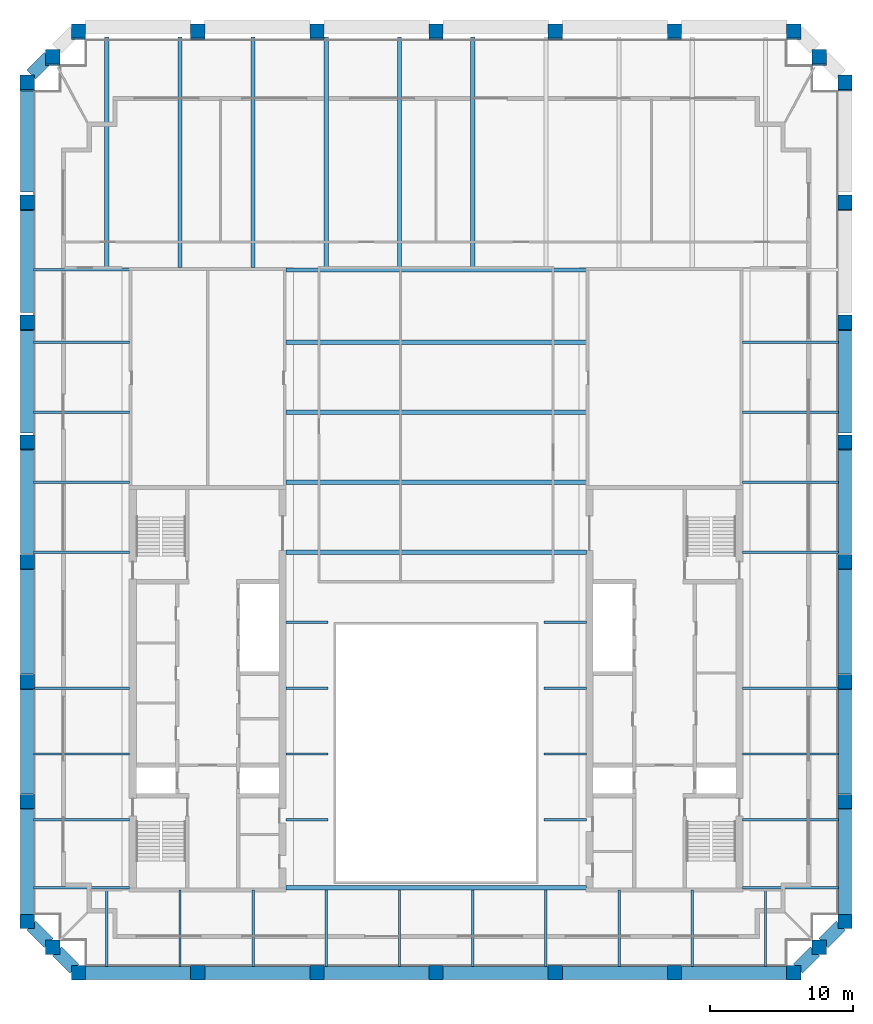
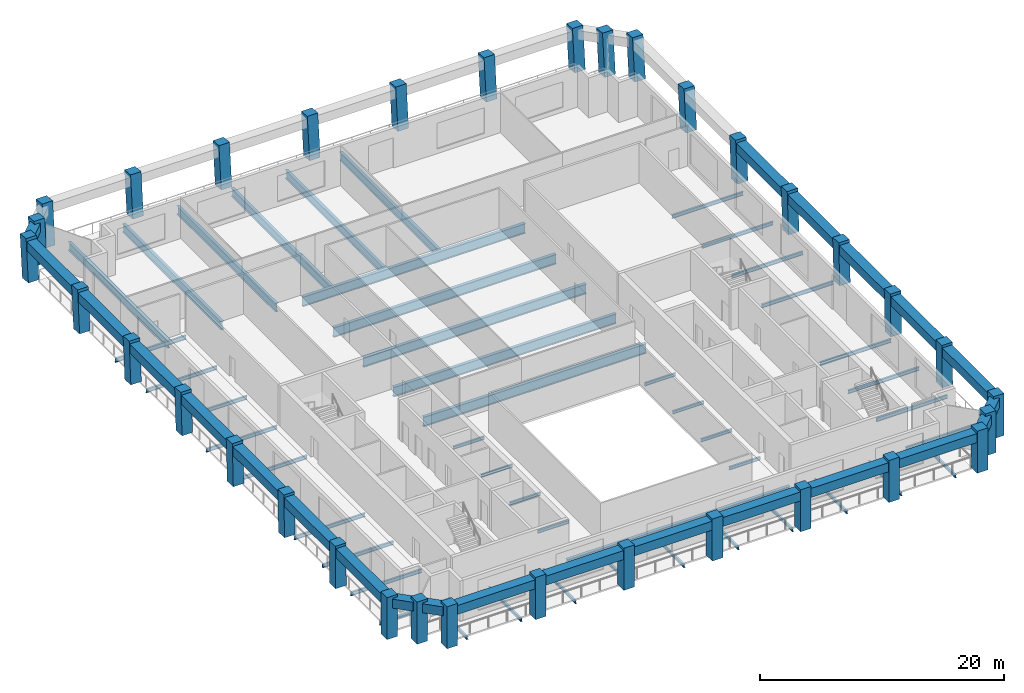
# One storey, part 1 of 8: 70 beams, 34 columns.
"""IFC4 building model written with IfcOpenShell, lengths in metres."""

import ifcopenshell
import ifcopenshell.guid

model = None  # the IFC model being written
_history = None  # IfcOwnerHistory: only IFC2X3 demands one
_inside = {}  # id of a spatial element -> (the spatial element, [elements in it])
_under = {}  # id of a project, library or spatial element -> (it, [spatial elements below it])
_declared = {}  # id of a project -> (the project, [libraries it declares])
_typed = {}  # id of a type object -> (the type object, [elements of that type])
_made_of = {}  # id of a material, layer set ... -> (it, [elements and type objects made of it])


def new_model(schema):
    """Start an empty IFC model of exactly this schema.

    Asked for "IFC4X3", IfcOpenShell would pick the latest addendum, in which some entities
    have other attributes; the version numbers below select the first issue.
    IFC2X3 requires an IfcOwnerHistory on every rooted entity: one is made here for all.
    """
    global model, _history
    if schema == "IFC4X3":
        model = ifcopenshell.file(schema_version=(4, 3, 0, 0))
    else:
        model = ifcopenshell.file(schema=schema)
    _inside.clear()
    _under.clear()
    _declared.clear()
    _typed.clear()
    _made_of.clear()
    _history = None
    if model.schema == "IFC2X3":
        org = make("IfcOrganization", Name="unknown")
        user = make(
            "IfcPersonAndOrganization",
            ThePerson=make("IfcPerson", FamilyName="unknown"),
            TheOrganization=org,
        )
        app = make(
            "IfcApplication",
            ApplicationDeveloper=org,
            Version="unknown",
            ApplicationFullName="unknown",
            ApplicationIdentifier="unknown",
        )
        _history = make(
            "IfcOwnerHistory",
            OwningUser=user,
            OwningApplication=app,
            ChangeAction="ADDED",
            CreationDate=0,
        )
    return model


def make(cls, **values):
    """One entity of the class cls with the attributes given. An attribute that is None is left unset."""
    return model.create_entity(
        cls, **{name: value for name, value in values.items() if value is not None}
    )


def rooted(cls, **values):
    """An entity with a GlobalId (a new one), such as an element, a storey or a relation."""
    return make(cls, GlobalId=ifcopenshell.guid.new(), OwnerHistory=_history, **values)


def si_unit(unit_type, name, prefix=None):
    """IfcSIUnit, for example si_unit("LENGTHUNIT", "METRE", prefix="MILLI")."""
    return make("IfcSIUnit", UnitType=unit_type, Prefix=prefix, Name=name)


def assignment(units):
    """IfcUnitAssignment: the units of a project."""
    return None if units is None else make("IfcUnitAssignment", Units=units)


def point(xyz):
    """IfcCartesianPoint."""
    return None if xyz is None else make("IfcCartesianPoint", Coordinates=xyz)


def direction(xyz):
    """IfcDirection."""
    return None if xyz is None else make("IfcDirection", DirectionRatios=xyz)


def frame(location, z_axis=None, x_axis=None):
    """IfcAxis2Placement3D, a coordinate frame: its origin and axes. An axis left out is left unset."""
    return make(
        "IfcAxis2Placement3D",
        Location=point(location),
        Axis=direction(z_axis),
        RefDirection=direction(x_axis),
    )


def frame_2d(location, x_axis=None):
    """IfcAxis2Placement2D, a coordinate frame in the plane: its origin and x axis."""
    return make(
        "IfcAxis2Placement2D", Location=point(location), RefDirection=direction(x_axis)
    )


def origin():
    """The frame at (0, 0, 0) with its axes left unset."""
    return frame((0.0, 0.0, 0.0))


def origin_2d():
    """The frame at (0, 0) in the plane with its x axis left unset."""
    return frame_2d((0.0, 0.0))


def place(relative_to, where):
    """IfcLocalPlacement: puts the frame where relative to a parent placement (None: the world)."""
    return make(
        "IfcLocalPlacement", PlacementRelTo=relative_to, RelativePlacement=where
    )


def context(
    kind, dimensions, precision=None, world=None, true_north=None, identifier=None
):
    """IfcGeometricRepresentationContext, for example the 3D "Model" context."""
    return make(
        "IfcGeometricRepresentationContext",
        ContextIdentifier=identifier,
        ContextType=kind,
        CoordinateSpaceDimension=dimensions,
        Precision=precision,
        WorldCoordinateSystem=world,
        TrueNorth=true_north,
    )


def subcontext(parent, identifier, kind, view, scale=None):
    """IfcGeometricRepresentationSubContext, for example "Body" below "Model"."""
    return make(
        "IfcGeometricRepresentationSubContext",
        ContextIdentifier=identifier,
        ContextType=kind,
        ParentContext=parent,
        TargetScale=scale,
        TargetView=view,
    )


def project(units=None, contexts=None):
    """IfcProject with its units and contexts."""
    return rooted(
        "IfcProject",
        Name="project",
        RepresentationContexts=contexts,
        UnitsInContext=assignment(units),
    )


def spatial(cls, under=None, at=None, **own):
    """A site, building, storey or space (cls), placed at a placement, below another one or the project."""
    s = rooted(cls, ObjectPlacement=at, **own)
    if under is not None:
        _under.setdefault(under.id(), (under, []))[1].append(s)
    return s


def profile(cls, at=None, kind="AREA", **sizes):
    """A parametric profile (cls). Its sizes go by their IFC names, for example OverallWidth=200.0."""
    return make(cls, ProfileType=kind, Position=at, **sizes)


def rectangle(**sizes):
    """IfcRectangleProfileDef."""
    return profile("IfcRectangleProfileDef", **sizes)


def i_section(**sizes):
    """IfcIShapeProfileDef."""
    return profile("IfcIShapeProfileDef", **sizes)


def extrude(swept, where, along, depth):
    """IfcExtrudedAreaSolid: the profile swept, set in the frame where, extruded along a direction by depth."""
    return make(
        "IfcExtrudedAreaSolid",
        SweptArea=swept,
        Position=where,
        ExtrudedDirection=direction(along),
        Depth=depth,
    )


def shape(context_of_items, identifier, shape_type, items):
    """IfcShapeRepresentation: the items that make up one representation, for example the "Body"."""
    return make(
        "IfcShapeRepresentation",
        ContextOfItems=context_of_items,
        RepresentationIdentifier=identifier,
        RepresentationType=shape_type,
        Items=items,
    )


def material(Name=None, Category=None):
    """IfcMaterial."""
    return make("IfcMaterial", Name=Name, Category=Category)


def material_profile(
    of_material, cross_section, Name=None, Category=None, Priority=None
):
    """IfcMaterialProfile: a cross section and its material."""
    return make(
        "IfcMaterialProfile",
        Name=Name,
        Material=of_material,
        Profile=cross_section,
        Priority=Priority,
        Category=Category,
    )


def profile_set(profiles, Name=None, composite=None):
    """IfcMaterialProfileSet."""
    return make(
        "IfcMaterialProfileSet",
        Name=Name,
        MaterialProfiles=profiles,
        CompositeProfile=composite,
    )


def made_of(thing, what):
    """Note that an element or type object is made of a material, layer set ...; save() writes the relation."""
    if what is not None:
        _made_of.setdefault(what.id(), (what, []))[1].append(thing)
    return thing


def type_object(cls, material=None, **own):
    """A type object (cls), such as IfcWallType, which elements share."""
    return made_of(rooted(cls, **own), material)


def element(
    cls,
    number,
    at=None,
    inside=None,
    cuts=None,
    type_object=None,
    material=None,
    context=None,
    identifier="Body",
    shape_type=None,
    held_by="IfcProductDefinitionShape",
    body=None,
    shapes=None,
    **own,
):
    """One element of the class cls, such as IfcWall. Its Tag is "e" and its number.

    at: its placement. inside: the storey or other place that contains it. cuts: it is an
    opening in that element (IfcRelVoidsElement). A single representation is given by context,
    identifier, shape_type and body (its items); several are given by shapes. held_by: the class
    of the entity that holds the representations. save() writes the other relations.
    """
    e = rooted(cls, Tag="e%d" % number, ObjectPlacement=at, **own)
    if body is not None:
        shapes = [shape(context, identifier, shape_type, body)]
    if shapes is not None:
        e.Representation = make(held_by, Representations=shapes)
    if inside is not None:
        _inside.setdefault(inside.id(), (inside, []))[1].append(e)
    if cuts is not None:
        rooted(
            "IfcRelVoidsElement", RelatingBuildingElement=cuts, RelatedOpeningElement=e
        )
    if type_object is not None:
        _typed.setdefault(type_object.id(), (type_object, []))[1].append(e)
    return made_of(e, material)


def aggregate(whole, parts):
    """IfcRelAggregates: a whole, such as a stair, and the parts it consists of."""
    return rooted("IfcRelAggregates", RelatingObject=whole, RelatedObjects=parts)


def save(model, path):
    """Write the relations noted so far, then the file.

    IfcRelAggregates (storeys below a building ...), IfcRelContainedInSpatialStructure (elements
    in a storey), IfcRelDefinesByType, IfcRelAssociatesMaterial and IfcRelDeclares: one each for
    every whole, place, type object, material and project.
    """
    for whole, parts in _under.values():
        aggregate(whole, parts)
    for where, things in _inside.values():
        rooted(
            "IfcRelContainedInSpatialStructure",
            RelatedElements=things,
            RelatingStructure=where,
        )
    for kind, things in _typed.values():
        rooted("IfcRelDefinesByType", RelatedObjects=things, RelatingType=kind)
    for what, things in _made_of.values():
        rooted("IfcRelAssociatesMaterial", RelatedObjects=things, RelatingMaterial=what)
    for by, libraries in _declared.values():
        rooted("IfcRelDeclares", RelatingContext=by, RelatedDefinitions=libraries)
    model.write(path)


model = new_model("IFC4")

# Units and contexts
model_context = context("Model", 3, precision=1e-05, world=origin(), true_north=direction((0.0, 1.0)))
body_context = subcontext(model_context, "Body", "Model", "MODEL_VIEW")
ifc_project = project(units=[si_unit("LENGTHUNIT", "METRE"), si_unit("AREAUNIT", "SQUARE_METRE"), si_unit("VOLUMEUNIT", "CUBIC_METRE"), si_unit("PLANEANGLEUNIT", "RADIAN"), si_unit("MASSUNIT", "GRAM", prefix="KILO")], contexts=[model_context])

# Site, building, storey
site_placement = place(None, origin())
site = spatial("IfcSite", under=ifc_project, at=site_placement, CompositionType="ELEMENT")
building_placement = place(site_placement, origin())
building = spatial("IfcBuilding", under=site, at=building_placement, Name="Ogive Exchange Tower", CompositionType="ELEMENT")
storey_placement = place(building_placement, frame((0.0, 0.0, 325.800048828125)))
storey = spatial("IfcBuildingStorey", under=building, at=storey_placement, Name="L71", CompositionType="ELEMENT", Elevation=325.800048828125)

# Columns
ifc_material_1 = material(Name="Precast concrete C70/85 (limestone faced)", Category="masonry")
ifc_material_profile_1 = material_profile(ifc_material_1, rectangle(XDim=1.0, YDim=1.0, at=origin_2d()), Name="1000 x 1000")
ifc_profile_set_1 = profile_set([ifc_material_profile_1], Name="Precast concrete C70/85 (limestone faced)")
column_type = type_object("IfcColumnType", Name="Precast exoskeleton leg 1000 x 1000 C70/85", PredefinedType="COLUMN", material=ifc_profile_set_1)
for number, where, z_axis, x_axis, name in (
    (1, (-25.050048828125, -8.39990234375, 0.0), (0.0, 0.0, 1.0), (1.0, 0.0, 0.0), "Exoskeleton leg 1"),
    (2, (-16.699951171875, -8.39990234375, 0.0), (0.0, 0.0, 1.0), (1.0, 0.0, 0.0), "Exoskeleton leg 2"),
    (3, (-8.35009765625, -8.39990234375, 0.0), (0.0, 0.0, 1.0), (1.0, 0.0, 0.0), "Exoskeleton leg 3"),
    (4, (0.0, -8.39990234375, 0.0), (0.0, 0.0, 1.0), (1.0, 0.0, 0.0), "Exoskeleton leg 4"),
    (5, (8.35009765625, -8.39990234375, 0.0), (0.0, 0.0, 1.0), (1.0, 0.0, 0.0), "Exoskeleton leg 5"),
    (6, (16.699951171875, -8.39990234375, 0.0), (0.0, 0.0, 1.0), (1.0, 0.0, 0.0), "Exoskeleton leg 6"),
    (7, (25.050048828125, -8.39990234375, 0.0), (0.0, 0.0, 1.0), (1.0, 0.0, 0.0), "Exoskeleton leg 7"),
    (8, (28.64990234375, -4.800048828125, 0.0), (0.0, 0.0, 1.0), (1.0, 0.0, 0.0), "Exoskeleton leg 8"),
):
    element("IfcColumn", number, at=place(storey_placement, frame(where, z_axis=z_axis, x_axis=x_axis)), inside=storey, type_object=column_type, Name=name, PredefinedType="COLUMN", context=body_context, shape_type="SweptSolid", body=[
        extrude(rectangle(XDim=1.0, YDim=1.0, at=origin_2d()), origin(), (0.0, 0.0, 1.0), 4.199951171875),
    ])
column_1_placement = place(storey_placement, frame((28.64990234375, 3.581787109375, 0.0), z_axis=(0.0, 0.013019881024, 0.999915237757), x_axis=(-1.0, 0.0, 0.0)))
element("IfcColumn", 9, at=column_1_placement, inside=storey, type_object=column_type, Name="Exoskeleton leg 9", PredefinedType="COLUMN", context=body_context, shape_type="SweptSolid", body=[
    extrude(rectangle(XDim=1.0, YDim=1.0, at=origin_2d()), origin(), (0.0, 0.0, 1.0), 4.2001953125),
])
column_2_placement = place(storey_placement, frame((28.64990234375, 11.963623046875, 0.0), z_axis=(0.0, 0.025975072843, 0.999662590873), x_axis=(-1.0, 0.0, 0.0)))
element("IfcColumn", 10, at=column_2_placement, inside=storey, type_object=column_type, Name="Exoskeleton leg 10", PredefinedType="COLUMN", context=body_context, shape_type="SweptSolid", body=[
    extrude(rectangle(XDim=1.0, YDim=1.0, at=origin_2d()), origin(), (0.0, 0.0, 1.0), 4.201416015625),
])
column_3_placement = place(storey_placement, frame((28.64990234375, 20.345458984375, 0.0), z_axis=(0.0, 0.038917190853, 0.999242439179), x_axis=(-1.0, 0.0, 0.0)))
element("IfcColumn", 11, at=column_3_placement, inside=storey, type_object=column_type, Name="Exoskeleton leg 11", PredefinedType="COLUMN", context=body_context, shape_type="SweptSolid", body=[
    extrude(rectangle(XDim=1.0, YDim=1.0, at=origin_2d()), origin(), (0.0, 0.0, 1.0), 4.203125),
])
column_4_placement = place(storey_placement, frame((28.64990234375, 28.727294921875, 0.0), z_axis=(0.0, 0.051897648879, 0.99865240902), x_axis=(-1.0, 0.0, 0.0)))
element("IfcColumn", 12, at=column_4_placement, inside=storey, type_object=column_type, Name="Exoskeleton leg 12", PredefinedType="COLUMN", context=body_context, shape_type="SweptSolid", body=[
    extrude(rectangle(XDim=1.0, YDim=1.0, at=origin_2d()), origin(), (0.0, 0.0, 1.0), 4.20556640625),
])
column_5_placement = place(storey_placement, frame((28.64990234375, 37.109130859375, 0.0), z_axis=(0.0, 0.064794093908, 0.997898654872), x_axis=(-1.0, 0.0, 0.0)))
element("IfcColumn", 13, at=column_5_placement, inside=storey, type_object=column_type, Name="Exoskeleton leg 13", PredefinedType="COLUMN", context=body_context, shape_type="SweptSolid", body=[
    extrude(rectangle(XDim=1.0, YDim=1.0, at=origin_2d()), origin(), (0.0, 0.0, 1.0), 4.208740234375),
])
column_6_placement = place(storey_placement, frame((28.64990234375, 45.490966796875, 0.0), z_axis=(0.0, 0.077658156178, 0.996980045326), x_axis=(-1.0, 0.0, 0.0)))
element("IfcColumn", 14, at=column_6_placement, inside=storey, type_object=column_type, Name="Exoskeleton leg 14", PredefinedType="COLUMN", context=body_context, shape_type="SweptSolid", body=[
    extrude(rectangle(XDim=1.0, YDim=1.0, at=origin_2d()), origin(), (0.0, 0.0, 1.0), 4.212646484375),
])
for number, where, z_axis, x_axis, name in (
    (15, (28.64990234375, 53.872802734375, 0.0), (0.0, 0.090483549163, 0.995897950259), (-1.0, 0.0, 0.0), "Exoskeleton leg 15"),
    (16, (25.050048828125, 57.47265625, 0.0), (0.0, 0.090540965689, 0.995892731941), (-1.0, 0.0, 0.0), "Exoskeleton leg 16"),
    (17, (16.699951171875, 57.47265625, 0.0), (0.0, 0.090540965689, 0.995892731941), (-1.0, 0.0, 0.0), "Exoskeleton leg 17"),
    (18, (8.35009765625, 57.47265625, 0.0), (0.0, 0.090540965689, 0.995892731941), (-1.0, 0.0, 0.0), "Exoskeleton leg 18"),
    (19, (0.0, 57.47265625, 0.0), (0.0, 0.090540965689, 0.995892731941), (-1.0, 0.0, 0.0), "Exoskeleton leg 19"),
    (20, (-8.35009765625, 57.47265625, 0.0), (0.0, 0.090540965689, 0.995892731941), (-1.0, 0.0, 0.0), "Exoskeleton leg 20"),
    (21, (-16.699951171875, 57.47265625, 0.0), (0.0, 0.090540965689, 0.995892731941), (-1.0, 0.0, 0.0), "Exoskeleton leg 21"),
    (22, (-25.050048828125, 57.47265625, 0.0), (0.0, 0.090540965689, 0.995892731941), (-1.0, 0.0, 0.0), "Exoskeleton leg 22"),
    (23, (-28.64990234375, 53.872802734375, 0.0), (0.0, 0.090483549163, 0.995897950259), (-1.0, 0.0, 0.0), "Exoskeleton leg 23"),
):
    element("IfcColumn", number, at=place(storey_placement, frame(where, z_axis=z_axis, x_axis=x_axis)), inside=storey, type_object=column_type, Name=name, PredefinedType="COLUMN", context=body_context, shape_type="SweptSolid", body=[
        extrude(rectangle(XDim=1.0, YDim=1.0, at=origin_2d()), origin(), (0.0, 0.0, 1.0), 4.21728515625),
    ])
column_7_placement = place(storey_placement, frame((-28.64990234375, 45.490966796875, 0.0), z_axis=(0.0, 0.077658156178, 0.996980045326), x_axis=(-1.0, 0.0, 0.0)))
element("IfcColumn", 24, at=column_7_placement, inside=storey, type_object=column_type, Name="Exoskeleton leg 24", PredefinedType="COLUMN", context=body_context, shape_type="SweptSolid", body=[
    extrude(rectangle(XDim=1.0, YDim=1.0, at=origin_2d()), origin(), (0.0, 0.0, 1.0), 4.212646484375),
])
column_8_placement = place(storey_placement, frame((-28.64990234375, 37.109130859375, 0.0), z_axis=(0.0, 0.064794093908, 0.997898654872), x_axis=(-1.0, 0.0, 0.0)))
element("IfcColumn", 25, at=column_8_placement, inside=storey, type_object=column_type, Name="Exoskeleton leg 25", PredefinedType="COLUMN", context=body_context, shape_type="SweptSolid", body=[
    extrude(rectangle(XDim=1.0, YDim=1.0, at=origin_2d()), origin(), (0.0, 0.0, 1.0), 4.208740234375),
])
column_9_placement = place(storey_placement, frame((-28.64990234375, 28.727294921875, 0.0), z_axis=(0.0, 0.051897648879, 0.99865240902), x_axis=(-1.0, 0.0, 0.0)))
element("IfcColumn", 26, at=column_9_placement, inside=storey, type_object=column_type, Name="Exoskeleton leg 26", PredefinedType="COLUMN", context=body_context, shape_type="SweptSolid", body=[
    extrude(rectangle(XDim=1.0, YDim=1.0, at=origin_2d()), origin(), (0.0, 0.0, 1.0), 4.20556640625),
])
column_10_placement = place(storey_placement, frame((-28.64990234375, 20.345458984375, 0.0), z_axis=(0.0, 0.038917190853, 0.999242439179), x_axis=(-1.0, 0.0, 0.0)))
element("IfcColumn", 27, at=column_10_placement, inside=storey, type_object=column_type, Name="Exoskeleton leg 27", PredefinedType="COLUMN", context=body_context, shape_type="SweptSolid", body=[
    extrude(rectangle(XDim=1.0, YDim=1.0, at=origin_2d()), origin(), (0.0, 0.0, 1.0), 4.203125),
])
column_11_placement = place(storey_placement, frame((-28.64990234375, 11.963623046875, 0.0), z_axis=(0.0, 0.025975072843, 0.999662590873), x_axis=(-1.0, 0.0, 0.0)))
element("IfcColumn", 28, at=column_11_placement, inside=storey, type_object=column_type, Name="Exoskeleton leg 28", PredefinedType="COLUMN", context=body_context, shape_type="SweptSolid", body=[
    extrude(rectangle(XDim=1.0, YDim=1.0, at=origin_2d()), origin(), (0.0, 0.0, 1.0), 4.201416015625),
])
column_12_placement = place(storey_placement, frame((-28.64990234375, 3.581787109375, 0.0), z_axis=(0.0, 0.013019881024, 0.999915237757), x_axis=(-1.0, 0.0, 0.0)))
element("IfcColumn", 29, at=column_12_placement, inside=storey, type_object=column_type, Name="Exoskeleton leg 29", PredefinedType="COLUMN", context=body_context, shape_type="SweptSolid", body=[
    extrude(rectangle(XDim=1.0, YDim=1.0, at=origin_2d()), origin(), (0.0, 0.0, 1.0), 4.2001953125),
])
for number, where, z_axis, x_axis, name in (
    (30, (-28.64990234375, -4.800048828125, 0.0), (0.0, 0.0, 1.0), (1.0, 0.0, 0.0), "Exoskeleton leg 30"),
    (31, (26.85009765625, -6.60009765625, 0.0), (0.0, 0.0, 1.0), (1.0, 0.0, 0.0), "Exoskeleton leg 31"),
):
    element("IfcColumn", number, at=place(storey_placement, frame(where, z_axis=z_axis, x_axis=x_axis)), inside=storey, type_object=column_type, Name=name, PredefinedType="COLUMN", context=body_context, shape_type="SweptSolid", body=[
        extrude(rectangle(XDim=1.0, YDim=1.0, at=origin_2d()), origin(), (0.0, 0.0, 1.0), 4.199951171875),
    ])
for number, where, z_axis, x_axis, name in (
    (32, (26.85009765625, 55.672607421875, 0.0), (0.0, 0.090540965689, 0.995892731941), (-1.0, 0.0, 0.0), "Exoskeleton leg 32"),
    (33, (-26.85009765625, 55.672607421875, 0.0), (0.0, 0.090540965689, 0.995892731941), (-1.0, 0.0, 0.0), "Exoskeleton leg 33"),
):
    element("IfcColumn", number, at=place(storey_placement, frame(where, z_axis=z_axis, x_axis=x_axis)), inside=storey, type_object=column_type, Name=name, PredefinedType="COLUMN", context=body_context, shape_type="SweptSolid", body=[
        extrude(rectangle(XDim=1.0, YDim=1.0, at=origin_2d()), origin(), (0.0, 0.0, 1.0), 4.21728515625),
    ])
column_13_placement = place(storey_placement, frame((-26.85009765625, -6.60009765625, 0.0), z_axis=(0.0, 0.0, 1.0), x_axis=(1.0, 0.0, 0.0)))
element("IfcColumn", 34, at=column_13_placement, inside=storey, type_object=column_type, Name="Exoskeleton leg 34", PredefinedType="COLUMN", context=body_context, shape_type="SweptSolid", body=[
    extrude(rectangle(XDim=1.0, YDim=1.0, at=origin_2d()), origin(), (0.0, 0.0, 1.0), 4.199951171875),
])

# Beams
ifc_material_2 = material(Name="Steel ASTM A992 Gr50", Category="steel")
ifc_material_profile_2 = material_profile(ifc_material_2, i_section(OverallWidth=0.300048828125, OverallDepth=0.97998046875, WebThickness=0.0166015625, FlangeThickness=0.026123046875, at=origin_2d()), Name="W1000x249")
ifc_profile_set_2 = profile_set([ifc_material_profile_2], Name="Steel ASTM A992 Gr50")
beam_type_1 = type_object("IfcBeamType", Name="Floor beam W1000x249", PredefinedType="JOIST", material=ifc_profile_set_2)
for number, where, z_axis, x_axis, name in (
    (35, (-10.52001953125, 21.06201171875, -0.68994140625), (1.0, 0.0, 0.0), (0.0, 1.0, 0.0), "Floor beam"),
    (36, (-10.52001953125, 25.968994140625, -0.68994140625), (1.0, 0.0, 0.0), (0.0, 1.0, 0.0), "Floor beam"),
    (37, (-10.52001953125, 30.8759765625, -0.68994140625), (1.0, 0.0, 0.0), (0.0, 1.0, 0.0), "Floor beam"),
    (38, (-10.52001953125, 35.782958984375, -0.68994140625), (1.0, 0.0, 0.0), (0.0, 1.0, 0.0), "Floor beam"),
):
    element("IfcBeam", number, at=place(storey_placement, frame(where, z_axis=z_axis, x_axis=x_axis)), inside=storey, type_object=beam_type_1, Name=name, PredefinedType="JOIST", context=body_context, shape_type="SweptSolid", body=[
        extrude(i_section(OverallWidth=0.300048828125, OverallDepth=0.97998046875, WebThickness=0.0166015625, FlangeThickness=0.026123046875, at=origin_2d()), origin(), (0.0, 0.0, 1.0), 21.0400390625),
    ])
ifc_material_profile_3 = material_profile(ifc_material_2, i_section(OverallWidth=0.1650390625, OverallDepth=0.31005859375, WebThickness=0.005859375, FlangeThickness=0.009765625, at=origin_2d()), Name="W310x38.7")
ifc_profile_set_3 = profile_set([ifc_material_profile_3], Name="Steel ASTM A992 Gr50")
beam_type_2 = type_object("IfcBeamType", Name="Floor beam W310x38.7", PredefinedType="JOIST", material=ifc_profile_set_3)
for number, where, z_axis, x_axis, name in (
    (39, (-10.52001953125, 2.3212890625, -0.35498046875), (1.0, 0.0, 0.0), (0.0, 1.0, 0.0), "Floor beam"),
    (40, (7.570068359375, 2.3212890625, -0.35498046875), (1.0, 0.0, 0.0), (0.0, 1.0, 0.0), "Floor beam"),
    (41, (-10.52001953125, 6.9326171875, -0.35498046875), (1.0, 0.0, 0.0), (0.0, 1.0, 0.0), "Floor beam"),
    (42, (7.570068359375, 6.9326171875, -0.35498046875), (1.0, 0.0, 0.0), (0.0, 1.0, 0.0), "Floor beam"),
    (43, (-10.52001953125, 11.543701171875, -0.35498046875), (1.0, 0.0, 0.0), (0.0, 1.0, 0.0), "Floor beam"),
    (44, (7.570068359375, 11.543701171875, -0.35498046875), (1.0, 0.0, 0.0), (0.0, 1.0, 0.0), "Floor beam"),
):
    element("IfcBeam", number, at=place(storey_placement, frame(where, z_axis=z_axis, x_axis=x_axis)), inside=storey, type_object=beam_type_2, Name=name, PredefinedType="JOIST", context=body_context, shape_type="SweptSolid", body=[
        extrude(i_section(OverallWidth=0.1650390625, OverallDepth=0.31005859375, WebThickness=0.005859375, FlangeThickness=0.009765625, at=origin_2d()), origin(), (0.0, 0.0, 1.0), 2.949951171875),
    ])
beam_1_placement = place(storey_placement, frame((-23.07275390625, -7.949951171875, -0.35498046875), z_axis=(0.0, 1.0, 0.0), x_axis=(-1.0, 0.0, 0.0)))
element("IfcBeam", 45, at=beam_1_placement, inside=storey, type_object=beam_type_2, Name="Floor beam", PredefinedType="JOIST", context=body_context, shape_type="SweptSolid", body=[
    extrude(i_section(OverallWidth=0.1650390625, OverallDepth=0.31005859375, WebThickness=0.005859375, FlangeThickness=0.009765625, at=origin_2d()), origin(), (0.0, 0.0, 1.0), 5.416015625),
])
for number, where, z_axis, x_axis, name in (
    (46, (-17.945556640625, -7.949951171875, -0.35498046875), (0.0, 1.0, 0.0), (-1.0, 0.0, 0.0), "Floor beam"),
    (47, (-12.818115234375, -7.949951171875, -0.35498046875), (0.0, 1.0, 0.0), (-1.0, 0.0, 0.0), "Floor beam"),
):
    element("IfcBeam", number, at=place(storey_placement, frame(where, z_axis=z_axis, x_axis=x_axis)), inside=storey, type_object=beam_type_2, Name=name, PredefinedType="JOIST", context=body_context, shape_type="SweptSolid", body=[
        extrude(i_section(OverallWidth=0.1650390625, OverallDepth=0.31005859375, WebThickness=0.005859375, FlangeThickness=0.009765625, at=origin_2d()), origin(), (0.0, 0.0, 1.0), 5.349853515625),
    ])
for number, where, z_axis, x_axis, name in (
    (48, (-7.69091796875, -7.949951171875, -0.35498046875), (0.0, 1.0, 0.0), (-1.0, 0.0, 0.0), "Floor beam"),
    (49, (-2.563720703125, -7.949951171875, -0.35498046875), (0.0, 1.0, 0.0), (-1.0, 0.0, 0.0), "Floor beam"),
    (50, (2.563720703125, -7.949951171875, -0.35498046875), (0.0, 1.0, 0.0), (-1.0, 0.0, 0.0), "Floor beam"),
    (51, (7.69091796875, -7.949951171875, -0.35498046875), (0.0, 1.0, 0.0), (-1.0, 0.0, 0.0), "Floor beam"),
):
    element("IfcBeam", number, at=place(storey_placement, frame(where, z_axis=z_axis, x_axis=x_axis)), inside=storey, type_object=beam_type_2, Name=name, PredefinedType="JOIST", context=body_context, shape_type="SweptSolid", body=[
        extrude(i_section(OverallWidth=0.1650390625, OverallDepth=0.31005859375, WebThickness=0.005859375, FlangeThickness=0.009765625, at=origin_2d()), origin(), (0.0, 0.0, 1.0), 5.35498046875),
    ])
for number, where, z_axis, x_axis, name in (
    (52, (12.818115234375, -7.949951171875, -0.35498046875), (0.0, 1.0, 0.0), (-1.0, 0.0, 0.0), "Floor beam"),
    (53, (17.945556640625, -7.949951171875, -0.35498046875), (0.0, 1.0, 0.0), (-1.0, 0.0, 0.0), "Floor beam"),
):
    element("IfcBeam", number, at=place(storey_placement, frame(where, z_axis=z_axis, x_axis=x_axis)), inside=storey, type_object=beam_type_2, Name=name, PredefinedType="JOIST", context=body_context, shape_type="SweptSolid", body=[
        extrude(i_section(OverallWidth=0.1650390625, OverallDepth=0.31005859375, WebThickness=0.005859375, FlangeThickness=0.009765625, at=origin_2d()), origin(), (0.0, 0.0, 1.0), 5.349853515625),
    ])
beam_2_placement = place(storey_placement, frame((23.07275390625, -7.949951171875, -0.35498046875), z_axis=(0.0, 1.0, 0.0), x_axis=(-1.0, 0.0, 0.0)))
element("IfcBeam", 54, at=beam_2_placement, inside=storey, type_object=beam_type_2, Name="Floor beam", PredefinedType="JOIST", context=body_context, shape_type="SweptSolid", body=[
    extrude(i_section(OverallWidth=0.1650390625, OverallDepth=0.31005859375, WebThickness=0.005859375, FlangeThickness=0.009765625, at=origin_2d()), origin(), (0.0, 0.0, 1.0), 5.416015625),
])
ifc_material_profile_4 = material_profile(ifc_material_2, i_section(OverallWidth=0.1708984375, OverallDepth=0.35595703125, WebThickness=0.00732421875, FlangeThickness=0.01171875, at=origin_2d()), Name="W360x51")
ifc_profile_set_4 = profile_set([ifc_material_profile_4], Name="Steel ASTM A992 Gr50")
beam_type_3 = type_object("IfcBeamType", Name="Floor beam W360x51", PredefinedType="JOIST", material=ifc_profile_set_4)
for number, where, z_axis, x_axis, name in (
    (55, (-28.199951171875, 2.3212890625, -0.3779296875), (1.0, 0.0, 0.0), (0.0, 1.0, 0.0), "Floor beam"),
    (56, (21.47998046875, 2.3212890625, -0.3779296875), (1.0, 0.0, 0.0), (0.0, 1.0, 0.0), "Floor beam"),
    (57, (-28.199951171875, 6.9326171875, -0.3779296875), (1.0, 0.0, 0.0), (0.0, 1.0, 0.0), "Floor beam"),
    (58, (21.47998046875, 6.9326171875, -0.3779296875), (1.0, 0.0, 0.0), (0.0, 1.0, 0.0), "Floor beam"),
    (59, (-28.199951171875, 11.543701171875, -0.3779296875), (1.0, 0.0, 0.0), (0.0, 1.0, 0.0), "Floor beam"),
    (60, (21.47998046875, 11.543701171875, -0.3779296875), (1.0, 0.0, 0.0), (0.0, 1.0, 0.0), "Floor beam"),
    (61, (-28.199951171875, 21.06201171875, -0.3779296875), (1.0, 0.0, 0.0), (0.0, 1.0, 0.0), "Floor beam"),
    (62, (21.47998046875, 21.06201171875, -0.3779296875), (1.0, 0.0, 0.0), (0.0, 1.0, 0.0), "Floor beam"),
    (63, (-28.199951171875, 25.968994140625, -0.3779296875), (1.0, 0.0, 0.0), (0.0, 1.0, 0.0), "Floor beam"),
    (64, (21.47998046875, 25.968994140625, -0.3779296875), (1.0, 0.0, 0.0), (0.0, 1.0, 0.0), "Floor beam"),
    (65, (-28.199951171875, 30.8759765625, -0.3779296875), (1.0, 0.0, 0.0), (0.0, 1.0, 0.0), "Floor beam"),
    (66, (21.47998046875, 30.8759765625, -0.3779296875), (1.0, 0.0, 0.0), (0.0, 1.0, 0.0), "Floor beam"),
    (67, (-28.199951171875, 35.782958984375, -0.3779296875), (1.0, 0.0, 0.0), (0.0, 1.0, 0.0), "Floor beam"),
    (68, (21.47998046875, 35.782958984375, -0.3779296875), (1.0, 0.0, 0.0), (0.0, 1.0, 0.0), "Floor beam"),
):
    element("IfcBeam", number, at=place(storey_placement, frame(where, z_axis=z_axis, x_axis=x_axis)), inside=storey, type_object=beam_type_3, Name=name, PredefinedType="JOIST", context=body_context, shape_type="SweptSolid", body=[
        extrude(i_section(OverallWidth=0.1708984375, OverallDepth=0.35595703125, WebThickness=0.00732421875, FlangeThickness=0.01171875, at=origin_2d()), origin(), (0.0, 0.0, 1.0), 6.719970703125),
    ])
ifc_material_profile_5 = material_profile(ifc_material_2, i_section(OverallWidth=0.2919921875, OverallDepth=0.8359375, WebThickness=0.013916015625, FlangeThickness=0.018798828125, at=origin_2d()), Name="W840x176")
ifc_profile_set_5 = profile_set([ifc_material_profile_5], Name="Steel ASTM A992 Gr50")
beam_type_4 = type_object("IfcBeamType", Name="Floor beam W840x176", PredefinedType="JOIST", material=ifc_profile_set_5)
beam_3_placement = place(storey_placement, frame((-23.07275390625, 40.93408203125, -0.6181640625), z_axis=(0.0, 1.0, 0.0), x_axis=(-1.0, 0.0, 0.0)))
element("IfcBeam", 69, at=beam_3_placement, inside=storey, type_object=beam_type_4, Name="Floor beam", PredefinedType="JOIST", context=body_context, shape_type="SweptSolid", body=[
    extrude(i_section(OverallWidth=0.2919921875, OverallDepth=0.8359375, WebThickness=0.013916015625, FlangeThickness=0.018798828125, at=origin_2d()), origin(), (0.0, 0.0, 1.0), 16.238525390625),
])
for number, where, z_axis, x_axis, name in (
    (70, (-17.945556640625, 41.0, -0.6181640625), (0.0, 1.0, 0.0), (-1.0, 0.0, 0.0), "Floor beam"),
    (71, (-12.818115234375, 41.0, -0.6181640625), (0.0, 1.0, 0.0), (-1.0, 0.0, 0.0), "Floor beam"),
):
    element("IfcBeam", number, at=place(storey_placement, frame(where, z_axis=z_axis, x_axis=x_axis)), inside=storey, type_object=beam_type_4, Name=name, PredefinedType="JOIST", context=body_context, shape_type="SweptSolid", body=[
        extrude(i_section(OverallWidth=0.2919921875, OverallDepth=0.8359375, WebThickness=0.013916015625, FlangeThickness=0.018798828125, at=origin_2d()), origin(), (0.0, 0.0, 1.0), 16.172607421875),
    ])
for number, where, z_axis, x_axis, name in (
    (72, (-7.69091796875, 40.9951171875, -0.6181640625), (0.0, 1.0, 0.0), (-1.0, 0.0, 0.0), "Floor beam"),
    (73, (-2.563720703125, 40.9951171875, -0.6181640625), (0.0, 1.0, 0.0), (-1.0, 0.0, 0.0), "Floor beam"),
    (74, (2.563720703125, 40.9951171875, -0.6181640625), (0.0, 1.0, 0.0), (-1.0, 0.0, 0.0), "Floor beam"),
):
    element("IfcBeam", number, at=place(storey_placement, frame(where, z_axis=z_axis, x_axis=x_axis)), inside=storey, type_object=beam_type_4, Name=name, PredefinedType="JOIST", context=body_context, shape_type="SweptSolid", body=[
        extrude(i_section(OverallWidth=0.2919921875, OverallDepth=0.8359375, WebThickness=0.013916015625, FlangeThickness=0.018798828125, at=origin_2d()), origin(), (0.0, 0.0, 1.0), 16.177490234375),
    ])
ifc_material_profile_6 = material_profile(ifc_material_2, i_section(OverallWidth=0.300048828125, OverallDepth=0.97998046875, WebThickness=0.0166015625, FlangeThickness=0.026123046875, at=origin_2d()), Name="W1000x249")
ifc_profile_set_6 = profile_set([ifc_material_profile_6], Name="Steel ASTM A992 Gr50")
beam_type_5 = type_object("IfcBeamType", Name="Girder W1000x249", PredefinedType="BEAM", material=ifc_profile_set_6)
for number, where, z_axis, x_axis, name in (
    (75, (-10.52001953125, -2.445068359375, -0.68994140625), (1.0, 0.0, 0.0), (0.0, 1.0, 0.0), "Header girder"),
    (76, (-10.52001953125, 40.844970703125, -0.68994140625), (1.0, 0.0, 0.0), (0.0, 1.0, 0.0), "Header girder"),
):
    element("IfcBeam", number, at=place(storey_placement, frame(where, z_axis=z_axis, x_axis=x_axis)), inside=storey, type_object=beam_type_5, Name=name, PredefinedType="BEAM", context=body_context, shape_type="SweptSolid", body=[
        extrude(i_section(OverallWidth=0.300048828125, OverallDepth=0.97998046875, WebThickness=0.0166015625, FlangeThickness=0.026123046875, at=origin_2d()), origin(), (0.0, 0.0, 1.0), 21.0400390625),
    ])
ifc_material_profile_7 = material_profile(ifc_material_2, i_section(OverallWidth=0.1650390625, OverallDepth=0.31005859375, WebThickness=0.005859375, FlangeThickness=0.009765625, at=origin_2d()), Name="W310x38.7")
ifc_profile_set_7 = profile_set([ifc_material_profile_7], Name="Steel ASTM A992 Gr50")
beam_type_6 = type_object("IfcBeamType", Name="Girder W310x38.7", PredefinedType="BEAM", material=ifc_profile_set_7)
for number, where, z_axis, x_axis, name in (
    (77, (-10.52001953125, 16.155029296875, -0.35498046875), (1.0, 0.0, 0.0), (0.0, 1.0, 0.0), "Trimmer girder"),
    (78, (7.570068359375, 16.155029296875, -0.35498046875), (1.0, 0.0, 0.0), (0.0, 1.0, 0.0), "Trimmer girder"),
):
    element("IfcBeam", number, at=place(storey_placement, frame(where, z_axis=z_axis, x_axis=x_axis)), inside=storey, type_object=beam_type_6, Name=name, PredefinedType="BEAM", context=body_context, shape_type="SweptSolid", body=[
        extrude(i_section(OverallWidth=0.1650390625, OverallDepth=0.31005859375, WebThickness=0.005859375, FlangeThickness=0.009765625, at=origin_2d()), origin(), (0.0, 0.0, 1.0), 2.949951171875),
    ])
ifc_material_profile_8 = material_profile(ifc_material_2, i_section(OverallWidth=0.177978515625, OverallDepth=0.406005859375, WebThickness=0.0078125, FlangeThickness=0.0126953125, at=origin_2d()), Name="W410x60")
ifc_profile_set_8 = profile_set([ifc_material_profile_8], Name="Steel ASTM A992 Gr50")
beam_type_7 = type_object("IfcBeamType", Name="Girder W410x60", PredefinedType="BEAM", material=ifc_profile_set_8)
for number, where, z_axis, x_axis, name in (
    (79, (-28.199951171875, -2.445068359375, -0.403076171875), (1.0, 0.0, 0.0), (0.0, 1.0, 0.0), "Header girder"),
    (80, (21.47998046875, -2.445068359375, -0.403076171875), (1.0, 0.0, 0.0), (0.0, 1.0, 0.0), "Header girder"),
    (81, (-28.199951171875, 40.844970703125, -0.403076171875), (1.0, 0.0, 0.0), (0.0, 1.0, 0.0), "Header girder"),
):
    element("IfcBeam", number, at=place(storey_placement, frame(where, z_axis=z_axis, x_axis=x_axis)), inside=storey, type_object=beam_type_7, Name=name, PredefinedType="BEAM", context=body_context, shape_type="SweptSolid", body=[
        extrude(i_section(OverallWidth=0.177978515625, OverallDepth=0.406005859375, WebThickness=0.0078125, FlangeThickness=0.0126953125, at=origin_2d()), origin(), (0.0, 0.0, 1.0), 6.719970703125),
    ])
ifc_material_profile_9 = material_profile(ifc_material_1, rectangle(XDim=0.89990234375, YDim=0.89990234375, at=origin_2d()), Name="900 x 900")
ifc_profile_set_9 = profile_set([ifc_material_profile_9], Name="Precast concrete C70/85 (limestone faced)")
beam_type_8 = type_object("IfcBeamType", Name="Precast spandrel 900 x 900 C70/85", PredefinedType="SPANDREL", material=ifc_profile_set_9)
beam_4_placement = place(storey_placement, frame((-24.570068359375, -8.39990234375, 3.5), z_axis=(1.0, 0.0, 0.0), x_axis=(0.0, 1.0, 0.0)))
element("IfcBeam", 82, at=beam_4_placement, inside=storey, type_object=beam_type_8, Name="Spandrel 1", PredefinedType="SPANDREL", context=body_context, shape_type="SweptSolid", body=[
    extrude(rectangle(XDim=0.89990234375, YDim=0.89990234375, at=origin_2d()), origin(), (0.0, 0.0, 1.0), 7.39013671875),
])
beam_5_placement = place(storey_placement, frame((-16.219970703125, -8.39990234375, 3.5), z_axis=(1.0, 0.0, 0.0), x_axis=(0.0, 1.0, 0.0)))
element("IfcBeam", 83, at=beam_5_placement, inside=storey, type_object=beam_type_8, Name="Spandrel 2", PredefinedType="SPANDREL", context=body_context, shape_type="SweptSolid", body=[
    extrude(rectangle(XDim=0.89990234375, YDim=0.89990234375, at=origin_2d()), origin(), (0.0, 0.0, 1.0), 7.389892578125),
])
for number, where, z_axis, x_axis, name in (
    (84, (-7.8701171875, -8.39990234375, 3.5), (1.0, 0.0, 0.0), (0.0, 1.0, 0.0), "Spandrel 3"),
    (85, (0.47998046875, -8.39990234375, 3.5), (1.0, 0.0, 0.0), (0.0, 1.0, 0.0), "Spandrel 4"),
):
    element("IfcBeam", number, at=place(storey_placement, frame(where, z_axis=z_axis, x_axis=x_axis)), inside=storey, type_object=beam_type_8, Name=name, PredefinedType="SPANDREL", context=body_context, shape_type="SweptSolid", body=[
        extrude(rectangle(XDim=0.89990234375, YDim=0.89990234375, at=origin_2d()), origin(), (0.0, 0.0, 1.0), 7.39013671875),
    ])
beam_6_placement = place(storey_placement, frame((8.830078125, -8.39990234375, 3.5), z_axis=(1.0, 0.0, 0.0), x_axis=(0.0, 1.0, 0.0)))
element("IfcBeam", 86, at=beam_6_placement, inside=storey, type_object=beam_type_8, Name="Spandrel 5", PredefinedType="SPANDREL", context=body_context, shape_type="SweptSolid", body=[
    extrude(rectangle(XDim=0.89990234375, YDim=0.89990234375, at=origin_2d()), origin(), (0.0, 0.0, 1.0), 7.389892578125),
])
beam_7_placement = place(storey_placement, frame((17.179931640625, -8.39990234375, 3.5), z_axis=(1.0, 0.0, 0.0), x_axis=(0.0, 1.0, 0.0)))
element("IfcBeam", 87, at=beam_7_placement, inside=storey, type_object=beam_type_8, Name="Spandrel 6", PredefinedType="SPANDREL", context=body_context, shape_type="SweptSolid", body=[
    extrude(rectangle(XDim=0.89990234375, YDim=0.89990234375, at=origin_2d()), origin(), (0.0, 0.0, 1.0), 7.39013671875),
])
for number, where, z_axis, x_axis, name in (
    (88, (25.337890625, -8.112060546875, 3.5), (0.707106781187, 0.707106781187, 0.0), (-0.707106781187, 0.707106781187, 0.0), "Spandrel 7"),
    (89, (27.137939453125, -6.31201171875, 3.5), (0.707106781187, 0.707106781187, 0.0), (-0.707106781187, 0.707106781187, 0.0), "Spandrel 8"),
):
    element("IfcBeam", number, at=place(storey_placement, frame(where, z_axis=z_axis, x_axis=x_axis)), inside=storey, type_object=beam_type_8, Name=name, PredefinedType="SPANDREL", context=body_context, shape_type="SweptSolid", body=[
        extrude(rectangle(XDim=0.89990234375, YDim=0.89990234375, at=origin_2d()), origin(), (0.0, 0.0, 1.0), 1.731201171875),
    ])
beam_8_placement = place(storey_placement, frame((28.64990234375, -4.320068359375, 3.5), z_axis=(0.0, 1.0, 0.0), x_axis=(-1.0, 0.0, 0.0)))
element("IfcBeam", 90, at=beam_8_placement, inside=storey, type_object=beam_type_8, Name="Spandrel 9", PredefinedType="SPANDREL", context=body_context, shape_type="SweptSolid", body=[
    extrude(rectangle(XDim=0.89990234375, YDim=0.89990234375, at=origin_2d()), origin(), (0.0, 0.0, 1.0), 7.4765625),
])
for number, where, z_axis, x_axis, name in (
    (91, (28.64990234375, 4.116455078125, 3.5), (0.0, 1.0, 0.0), (-1.0, 0.0, 0.0), "Spandrel 10"),
    (92, (28.64990234375, 12.552734375, 3.5), (0.0, 1.0, 0.0), (-1.0, 0.0, 0.0), "Spandrel 11"),
):
    element("IfcBeam", number, at=place(storey_placement, frame(where, z_axis=z_axis, x_axis=x_axis)), inside=storey, type_object=beam_type_8, Name=name, PredefinedType="SPANDREL", context=body_context, shape_type="SweptSolid", body=[
        extrude(rectangle(XDim=0.89990234375, YDim=0.89990234375, at=origin_2d()), origin(), (0.0, 0.0, 1.0), 7.476318359375),
    ])
beam_9_placement = place(storey_placement, frame((28.64990234375, 20.989013671875, 3.5), z_axis=(0.0, 1.0, 0.0), x_axis=(-1.0, 0.0, 0.0)))
element("IfcBeam", 93, at=beam_9_placement, inside=storey, type_object=beam_type_8, Name="Spandrel 12", PredefinedType="SPANDREL", context=body_context, shape_type="SweptSolid", body=[
    extrude(rectangle(XDim=0.89990234375, YDim=0.89990234375, at=origin_2d()), origin(), (0.0, 0.0, 1.0), 7.4765625),
])
beam_10_placement = place(storey_placement, frame((28.64990234375, 29.425537109375, 3.5), z_axis=(0.0, 1.0, 0.0), x_axis=(-1.0, 0.0, 0.0)))
element("IfcBeam", 94, at=beam_10_placement, inside=storey, type_object=beam_type_8, Name="Spandrel 13", PredefinedType="SPANDREL", context=body_context, shape_type="SweptSolid", body=[
    extrude(rectangle(XDim=0.89990234375, YDim=0.89990234375, at=origin_2d()), origin(), (0.0, 0.0, 1.0), 7.476318359375),
])
beam_11_placement = place(storey_placement, frame((-27.137939453125, 55.7666015625, 3.5), z_axis=(-0.707106781187, -0.707106781187, 0.0), x_axis=(0.707106781187, -0.707106781187, 0.0)))
element("IfcBeam", 95, at=beam_11_placement, inside=storey, type_object=beam_type_8, Name="Spandrel 25", PredefinedType="SPANDREL", context=body_context, shape_type="SweptSolid", body=[
    extrude(rectangle(XDim=0.89990234375, YDim=0.89990234375, at=origin_2d()), origin(), (0.0, 0.0, 1.0), 1.731201171875),
])
for number, where, z_axis, x_axis, name in (
    (96, (-28.64990234375, 53.7744140625, 3.5), (0.0, -1.0, 0.0), (1.0, 0.0, 0.0), "Spandrel 26"),
    (97, (-28.64990234375, 45.338134765625, 3.5), (0.0, -1.0, 0.0), (1.0, 0.0, 0.0), "Spandrel 27"),
    (98, (-28.64990234375, 36.90185546875, 3.5), (0.0, -1.0, 0.0), (1.0, 0.0, 0.0), "Spandrel 28"),
):
    element("IfcBeam", number, at=place(storey_placement, frame(where, z_axis=z_axis, x_axis=x_axis)), inside=storey, type_object=beam_type_8, Name=name, PredefinedType="SPANDREL", context=body_context, shape_type="SweptSolid", body=[
        extrude(rectangle(XDim=0.89990234375, YDim=0.89990234375, at=origin_2d()), origin(), (0.0, 0.0, 1.0), 7.476318359375),
    ])
beam_12_placement = place(storey_placement, frame((-28.64990234375, 28.465576171875, 3.5), z_axis=(0.0, -1.0, 0.0), x_axis=(1.0, 0.0, 0.0)))
element("IfcBeam", 99, at=beam_12_placement, inside=storey, type_object=beam_type_8, Name="Spandrel 29", PredefinedType="SPANDREL", context=body_context, shape_type="SweptSolid", body=[
    extrude(rectangle(XDim=0.89990234375, YDim=0.89990234375, at=origin_2d()), origin(), (0.0, 0.0, 1.0), 7.4765625),
])
for number, where, z_axis, x_axis, name in (
    (100, (-28.64990234375, 20.029052734375, 3.5), (0.0, -1.0, 0.0), (1.0, 0.0, 0.0), "Spandrel 30"),
    (101, (-28.64990234375, 11.5927734375, 3.5), (0.0, -1.0, 0.0), (1.0, 0.0, 0.0), "Spandrel 31"),
):
    element("IfcBeam", number, at=place(storey_placement, frame(where, z_axis=z_axis, x_axis=x_axis)), inside=storey, type_object=beam_type_8, Name=name, PredefinedType="SPANDREL", context=body_context, shape_type="SweptSolid", body=[
        extrude(rectangle(XDim=0.89990234375, YDim=0.89990234375, at=origin_2d()), origin(), (0.0, 0.0, 1.0), 7.476318359375),
    ])
beam_13_placement = place(storey_placement, frame((-28.64990234375, 3.156494140625, 3.5), z_axis=(0.0, -1.0, 0.0), x_axis=(1.0, 0.0, 0.0)))
element("IfcBeam", 102, at=beam_13_placement, inside=storey, type_object=beam_type_8, Name="Spandrel 32", PredefinedType="SPANDREL", context=body_context, shape_type="SweptSolid", body=[
    extrude(rectangle(XDim=0.89990234375, YDim=0.89990234375, at=origin_2d()), origin(), (0.0, 0.0, 1.0), 7.4765625),
])
for number, where, z_axis, x_axis, name in (
    (103, (-28.362060546875, -5.087890625, 3.5), (0.707106781187, -0.707106781187, 0.0), (0.707106781187, 0.707106781187, 0.0), "Spandrel 33"),
    (104, (-26.56201171875, -6.887939453125, 3.5), (0.707106781187, -0.707106781187, 0.0), (0.707106781187, 0.707106781187, 0.0), "Spandrel 34"),
):
    element("IfcBeam", number, at=place(storey_placement, frame(where, z_axis=z_axis, x_axis=x_axis)), inside=storey, type_object=beam_type_8, Name=name, PredefinedType="SPANDREL", context=body_context, shape_type="SweptSolid", body=[
        extrude(rectangle(XDim=0.89990234375, YDim=0.89990234375, at=origin_2d()), origin(), (0.0, 0.0, 1.0), 1.731201171875),
    ])

save(model, "model.ifc")
